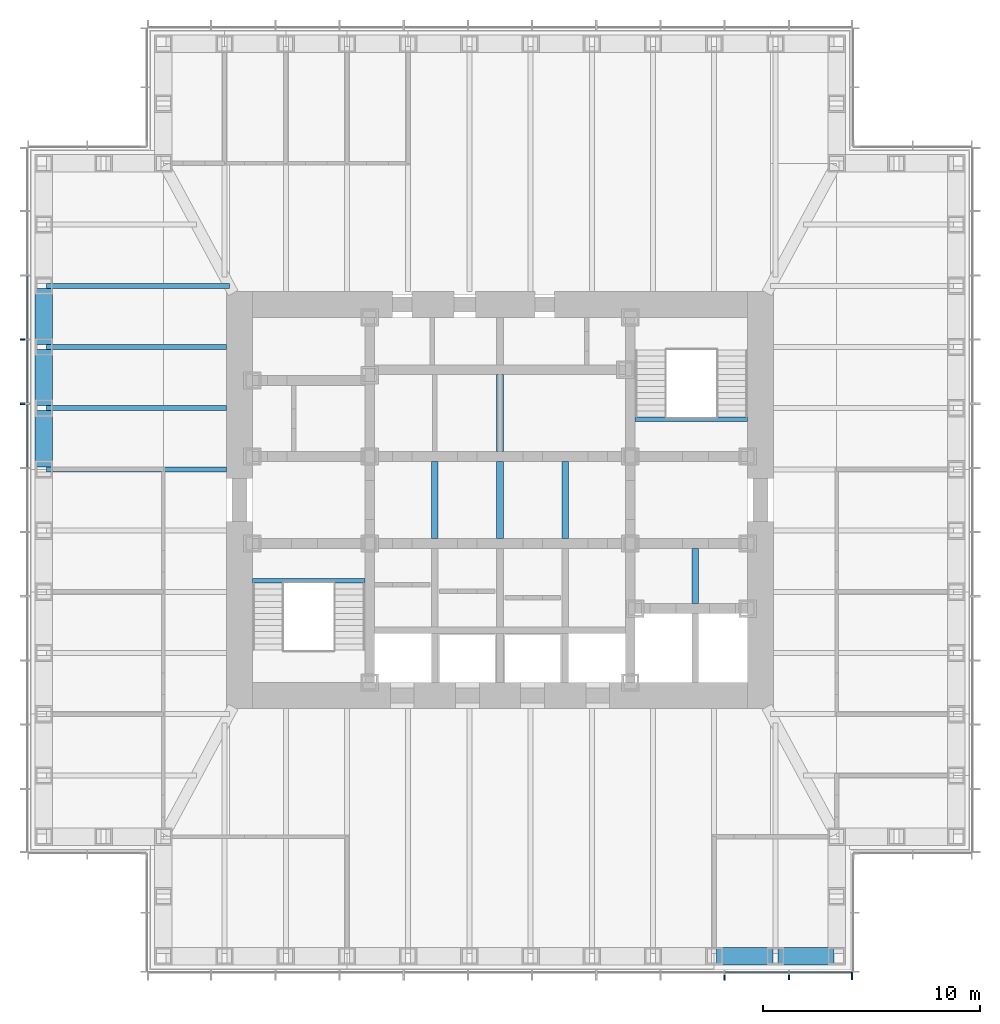
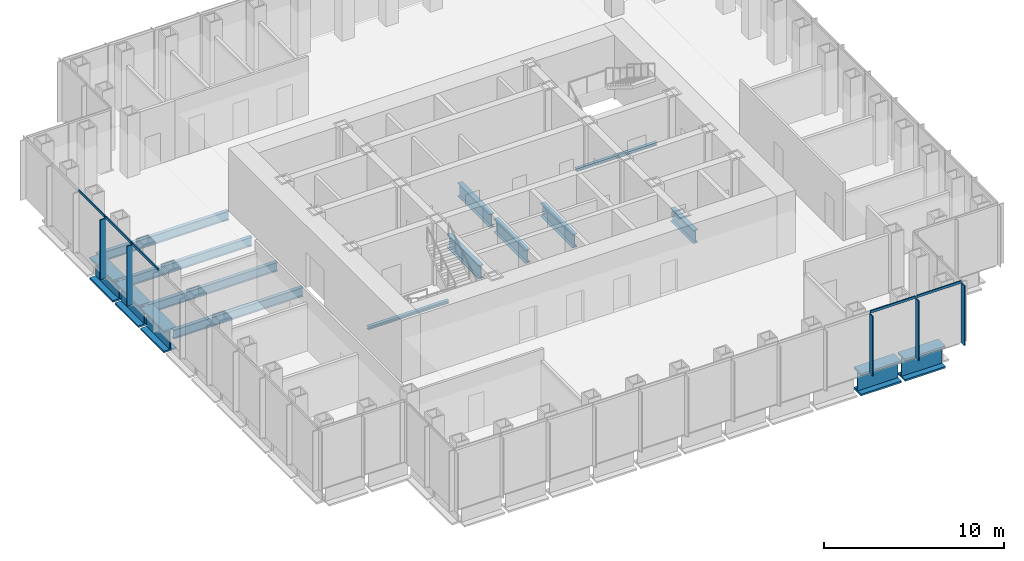
# One storey, part 3 of 16: 16 beams, 10 members, 2 elements without a shape of their own.
"""IFC4 building model written with IfcOpenShell, lengths in metres."""

from ifc_helpers import new_model, si_unit, direction, frame, origin, origin_2d, place, context, subcontext, project, spatial, rectangle, i_section, extrude, material, material_profile, profile_set, type_object, element, aggregate, save


model = new_model("IFC4")

# Units and contexts
model_context = context("Model", 3, precision=1e-05, world=origin(), true_north=direction((0.0, 1.0)))
body_context = subcontext(model_context, "Body", "Model", "MODEL_VIEW")
ifc_project = project(units=[si_unit("LENGTHUNIT", "METRE"), si_unit("AREAUNIT", "SQUARE_METRE"), si_unit("VOLUMEUNIT", "CUBIC_METRE"), si_unit("PLANEANGLEUNIT", "RADIAN"), si_unit("MASSUNIT", "GRAM", prefix="KILO")], contexts=[model_context])

# Site, building, storey
site_placement = place(None, origin())
site = spatial("IfcSite", under=ifc_project, at=site_placement, CompositionType="ELEMENT")
building_placement = place(site_placement, origin())
building = spatial("IfcBuilding", under=site, at=building_placement, Name="Daluyong Arena Tower", CompositionType="ELEMENT")
storey_placement = place(building_placement, frame((0.0, 0.0, 240.10009765625)))
storey = spatial("IfcBuildingStorey", under=building, at=storey_placement, Name="L54", CompositionType="ELEMENT", Elevation=240.10009765625)

# Curtain wall, members
ifc_material_1 = material(Name="Bronze anodised aluminium and glass", Category="aluminium")
curtain_wall_type = type_object("IfcCurtainWallType", Name="Curtain wall CW3", PredefinedType="USERDEFINED", material=ifc_material_1)
curtain_wall_1_placement = place(storey_placement, origin())
curtain_wall_1 = element("IfcCurtainWall", 1, at=curtain_wall_1_placement, inside=storey, type_object=curtain_wall_type, Name="curtain wall L54 S", ObjectType="UNITISED CURTAIN WALL", PredefinedType="USERDEFINED")
ifc_material_2 = material(Name="Bronze anodised aluminium fin", Category="aluminium")
ifc_material_profile_1 = material_profile(ifc_material_2, rectangle(XDim=0.35009765625, YDim=0.070068359375, at=origin_2d()))
ifc_profile_set_1 = profile_set([ifc_material_profile_1], Name="Bronze anodised aluminium fin")
member_type_1 = type_object("IfcMemberType", Name="CW3 bronze fin 350x70", PredefinedType="MULLION", material=ifc_profile_set_1)
member_1_placement = place(storey_placement, frame((66.3408203125, 58.074951171875, 0.0), z_axis=(0.0, 0.0, 1.0), x_axis=(0.0, 1.0, 0.0)))
member_1 = element("IfcMember", 2, at=member_1_placement, type_object=member_type_1, Name="curtain wall L54 S fin 10", PredefinedType="MULLION", context=body_context, shape_type="SweptSolid", body=[
    extrude(rectangle(XDim=0.35009765625, YDim=0.070068359375, at=origin_2d()), origin(), (0.0, 0.0, 1.0), 4.039794921875),
])
member_2_placement = place(storey_placement, frame((69.29541015625, 58.074951171875, 0.0), z_axis=(0.0, 0.0, 1.0), x_axis=(0.0, 1.0, 0.0)))
member_2 = element("IfcMember", 3, at=member_2_placement, type_object=member_type_1, Name="curtain wall L54 S fin 11", PredefinedType="MULLION", context=body_context, shape_type="SweptSolid", body=[
    extrude(rectangle(XDim=0.35009765625, YDim=0.070068359375, at=origin_2d()), origin(), (0.0, 0.0, 1.0), 4.039794921875),
])
member_3_placement = place(storey_placement, frame((72.215087890625, 58.074951171875, 0.0), z_axis=(0.0, 0.0, 1.0), x_axis=(0.0, 1.0, 0.0)))
member_3 = element("IfcMember", 4, at=member_3_placement, type_object=member_type_1, Name="curtain wall L54 S fin 12", PredefinedType="MULLION", context=body_context, shape_type="SweptSolid", body=[
    extrude(rectangle(XDim=0.35009765625, YDim=0.070068359375, at=origin_2d()), origin(), (0.0, 0.0, 1.0), 4.039794921875),
])

curtain_wall_2_placement = place(storey_placement, origin())
curtain_wall_2 = element("IfcCurtainWall", 5, at=curtain_wall_2_placement, inside=storey, type_object=curtain_wall_type, Name="curtain wall L54 W", ObjectType="UNITISED CURTAIN WALL", PredefinedType="USERDEFINED")
member_4_placement = place(storey_placement, frame((34.074951171875, 87.386474609375, 0.0), z_axis=(0.0, 0.0, 1.0), x_axis=(1.0, 0.0, 0.0)))
member_4 = element("IfcMember", 6, at=member_4_placement, type_object=member_type_1, Name="curtain wall L54 W fin 4", PredefinedType="MULLION", context=body_context, shape_type="SweptSolid", body=[
    extrude(rectangle(XDim=0.35009765625, YDim=0.070068359375, at=origin_2d()), origin(), (0.0, 0.0, 1.0), 4.039794921875),
])
member_5_placement = place(storey_placement, frame((34.074951171875, 84.431884765625, 0.0), z_axis=(0.0, 0.0, 1.0), x_axis=(1.0, 0.0, 0.0)))
member_5 = element("IfcMember", 7, at=member_5_placement, type_object=member_type_1, Name="curtain wall L54 W fin 5", PredefinedType="MULLION", context=body_context, shape_type="SweptSolid", body=[
    extrude(rectangle(XDim=0.35009765625, YDim=0.070068359375, at=origin_2d()), origin(), (0.0, 0.0, 1.0), 4.039794921875),
])

# Member
ifc_material_3 = material(Name="Bronze anodised aluminium", Category="aluminium")
ifc_material_profile_2 = material_profile(ifc_material_3, rectangle(XDim=0.070068359375, YDim=0.159912109375, at=origin_2d()))
ifc_profile_set_2 = profile_set([ifc_material_profile_2], Name="Bronze anodised aluminium")
member_type_2 = type_object("IfcMemberType", Name="CW3 stack transom 160x70", PredefinedType="USERDEFINED", material=ifc_profile_set_2)
member_6_placement = place(storey_placement, frame((66.3759765625, 58.25, 4.119873046875), z_axis=(1.0, 0.0, 0.0), x_axis=(0.0, 1.0, 0.0)))
member_6 = element("IfcMember", 8, at=member_6_placement, type_object=member_type_2, Name="curtain wall L54 S transom 10", ObjectType="TRANSOM", PredefinedType="USERDEFINED", context=body_context, shape_type="SweptSolid", body=[
    extrude(rectangle(XDim=0.070068359375, YDim=0.159912109375, at=origin_2d()), origin(), (0.0, 0.0, 1.0), 2.884521484375),
])

member_7_placement = place(storey_placement, frame((69.33056640625, 58.25, 4.119873046875), z_axis=(1.0, 0.0, 0.0), x_axis=(0.0, 1.0, 0.0)))
member_7 = element("IfcMember", 9, at=member_7_placement, type_object=member_type_2, Name="curtain wall L54 S transom 11", ObjectType="TRANSOM", PredefinedType="USERDEFINED", context=body_context, shape_type="SweptSolid", body=[
    extrude(rectangle(XDim=0.070068359375, YDim=0.159912109375, at=origin_2d()), origin(), (0.0, 0.0, 1.0), 2.849365234375),
])

aggregate(curtain_wall_1, [member_1, member_2, member_3, member_6, member_7])

member_8_placement = place(storey_placement, frame((34.25, 90.305908203125, 4.119873046875), z_axis=(0.0, -1.0, 0.0), x_axis=(1.0, 0.0, 0.0)))
member_8 = element("IfcMember", 10, at=member_8_placement, type_object=member_type_2, Name="curtain wall L54 W transom 3", ObjectType="TRANSOM", PredefinedType="USERDEFINED", context=body_context, shape_type="SweptSolid", body=[
    extrude(rectangle(XDim=0.070068359375, YDim=0.159912109375, at=origin_2d()), origin(), (0.0, 0.0, 1.0), 2.884521484375),
])

member_9_placement = place(storey_placement, frame((34.25, 87.351318359375, 4.119873046875), z_axis=(0.0, -1.0, 0.0), x_axis=(1.0, 0.0, 0.0)))
member_9 = element("IfcMember", 11, at=member_9_placement, type_object=member_type_2, Name="curtain wall L54 W transom 4", ObjectType="TRANSOM", PredefinedType="USERDEFINED", context=body_context, shape_type="SweptSolid", body=[
    extrude(rectangle(XDim=0.070068359375, YDim=0.159912109375, at=origin_2d()), origin(), (0.0, 0.0, 1.0), 2.884521484375),
])

member_10_placement = place(storey_placement, frame((34.25, 84.396728515625, 4.119873046875), z_axis=(0.0, -1.0, 0.0), x_axis=(1.0, 0.0, 0.0)))
member_10 = element("IfcMember", 12, at=member_10_placement, type_object=member_type_2, Name="curtain wall L54 W transom 5", ObjectType="TRANSOM", PredefinedType="USERDEFINED", context=body_context, shape_type="SweptSolid", body=[
    extrude(rectangle(XDim=0.070068359375, YDim=0.159912109375, at=origin_2d()), origin(), (0.0, 0.0, 1.0), 2.884521484375),
])

aggregate(curtain_wall_2, [member_4, member_5, member_8, member_9, member_10])

# Beams
ifc_material_4 = material(Name="Steel ASTM A992 Grade 50", Category="steel")
ifc_material_profile_3 = material_profile(ifc_material_4, i_section(OverallWidth=0.22900390625, OverallDepth=0.612060546875, WebThickness=0.011962890625, FlangeThickness=0.01953125, at=origin_2d()))
ifc_profile_set_3 = profile_set([ifc_material_profile_3], Name="Steel ASTM A992 Grade 50")
beam_type_1 = type_object("IfcBeamType", Name="Floor beam W24X84", PredefinedType="BEAM", material=ifc_profile_set_3)
beam_1_placement = place(storey_placement, frame((35.114990234375, 89.863525390625, -0.466064453125), z_axis=(1.0, 0.0, 0.0), x_axis=(0.0, 1.0, 0.0)))
element("IfcBeam", 13, at=beam_1_placement, inside=storey, type_object=beam_type_1, Name="floor beam FB3", PredefinedType="BEAM", context=body_context, shape_type="SweptSolid", body=[
    extrude(i_section(OverallWidth=0.22900390625, OverallDepth=0.612060546875, WebThickness=0.011962890625, FlangeThickness=0.01953125, at=origin_2d()), origin(), (0.0, 0.0, 1.0), 8.419921875),
])
for number, where, z_axis, x_axis, name in (
    (14, (35.114990234375, 87.04541015625, -0.466064453125), (1.0, 0.0, 0.0), (0.0, 1.0, 0.0), "floor beam FB3"),
    (15, (35.114990234375, 84.227294921875, -0.466064453125), (1.0, 0.0, 0.0), (0.0, 1.0, 0.0), "floor beam FB3"),
    (16, (35.114990234375, 81.4091796875, -0.466064453125), (1.0, 0.0, 0.0), (0.0, 1.0, 0.0), "floor beam FB3"),
):
    element("IfcBeam", number, at=place(storey_placement, frame(where, z_axis=z_axis, x_axis=x_axis)), inside=storey, type_object=beam_type_1, Name=name, PredefinedType="BEAM", context=body_context, shape_type="SweptSolid", body=[
        extrude(i_section(OverallWidth=0.22900390625, OverallDepth=0.612060546875, WebThickness=0.011962890625, FlangeThickness=0.01953125, at=origin_2d()), origin(), (0.0, 0.0, 1.0), 8.284912109375),
    ])
ifc_material_5 = material(Name="Steel ASTM A572 Grade 50", Category="steel")
ifc_material_profile_4 = material_profile(ifc_material_5, i_section(OverallWidth=0.300048828125, OverallDepth=0.89990234375, WebThickness=0.025, FlangeThickness=0.04, at=origin_2d()))
ifc_profile_set_4 = profile_set([ifc_material_profile_4], Name="Steel ASTM A572 Grade 50")
beam_type_2 = type_object("IfcBeamType", Name="Lift divider beam PG900X300", PredefinedType="BEAM", material=ifc_profile_set_4)
for number, where, z_axis, x_axis, name in (
    (17, (53.0, 78.22509765625, -0.610107421875), (0.0, 1.0, 0.0), (-1.0, 0.0, 0.0), "lift divider beam DB1"),
    (18, (56.0, 78.22509765625, -0.610107421875), (0.0, 1.0, 0.0), (-1.0, 0.0, 0.0), "lift divider beam DB1"),
    (19, (56.0, 82.22509765625, -0.610107421875), (0.0, 1.0, 0.0), (-1.0, 0.0, 0.0), "lift divider beam DB1"),
    (20, (59.0, 78.22509765625, -0.610107421875), (0.0, 1.0, 0.0), (-1.0, 0.0, 0.0), "lift divider beam DB1"),
):
    element("IfcBeam", number, at=place(storey_placement, frame(where, z_axis=z_axis, x_axis=x_axis)), inside=storey, type_object=beam_type_2, Name=name, PredefinedType="BEAM", context=body_context, shape_type="SweptSolid", body=[
        extrude(i_section(OverallWidth=0.300048828125, OverallDepth=0.89990234375, WebThickness=0.025, FlangeThickness=0.04, at=origin_2d()), origin(), (0.0, 0.0, 1.0), 3.5498046875),
    ])
beam_2_placement = place(storey_placement, frame((65.0, 75.22509765625, -0.610107421875), z_axis=(0.0, 1.0, 0.0), x_axis=(-1.0, 0.0, 0.0)))
element("IfcBeam", 21, at=beam_2_placement, inside=storey, type_object=beam_type_2, Name="lift divider beam DB1", PredefinedType="BEAM", context=body_context, shape_type="SweptSolid", body=[
    extrude(i_section(OverallWidth=0.300048828125, OverallDepth=0.89990234375, WebThickness=0.025, FlangeThickness=0.04, at=origin_2d()), origin(), (0.0, 0.0, 1.0), 2.5498046875),
])
ifc_material_6 = material(Name="Steel ASTM A588 Grade 50", Category="steel")
ifc_material_profile_5 = material_profile(ifc_material_6, i_section(OverallWidth=0.800048828125, OverallDepth=1.5, WebThickness=0.05, FlangeThickness=0.12, at=origin_2d()))
ifc_profile_set_5 = profile_set([ifc_material_profile_5], Name="Steel ASTM A588 Grade 50")
beam_type_3 = type_object("IfcBeamType", Name="Spandrel Z3 PG1500X800", PredefinedType="SPANDREL", material=ifc_profile_set_5)
beam_3_placement = place(storey_placement, frame((65.978515625, 59.0, -0.91015625), z_axis=(1.0, 0.0, 0.0), x_axis=(0.0, 1.0, 0.0)))
element("IfcBeam", 22, at=beam_3_placement, inside=storey, type_object=beam_type_3, Name="spandrel z3 SB7", PredefinedType="SPANDREL", context=body_context, shape_type="SweptSolid", body=[
    extrude(i_section(OverallWidth=0.800048828125, OverallDepth=1.5, WebThickness=0.05, FlangeThickness=0.12, at=origin_2d()), origin(), (0.0, 0.0, 1.0), 2.58837890625),
])
for number, where, z_axis, x_axis, name in (
    (23, (68.796875, 59.0, -0.91015625), (1.0, 0.0, 0.0), (0.0, 1.0, 0.0), "spandrel z3 SB7"),
    (24, (35.0, 89.74853515625, -0.91015625), (0.0, -1.0, 0.0), (1.0, 0.0, 0.0), "spandrel z3 SB7"),
    (25, (35.0, 86.930419921875, -0.91015625), (0.0, -1.0, 0.0), (1.0, 0.0, 0.0), "spandrel z3 SB7"),
    (26, (35.0, 84.1123046875, -0.91015625), (0.0, -1.0, 0.0), (1.0, 0.0, 0.0), "spandrel z3 SB7"),
):
    element("IfcBeam", number, at=place(storey_placement, frame(where, z_axis=z_axis, x_axis=x_axis)), inside=storey, type_object=beam_type_3, Name=name, PredefinedType="SPANDREL", context=body_context, shape_type="SweptSolid", body=[
        extrude(i_section(OverallWidth=0.800048828125, OverallDepth=1.5, WebThickness=0.05, FlangeThickness=0.12, at=origin_2d()), origin(), (0.0, 0.0, 1.0), 2.588134765625),
    ])
ifc_material_7 = material(Name="Steel ASTM A992 Grade 50", Category="steel")
ifc_material_profile_6 = material_profile(ifc_material_7, i_section(OverallWidth=0.203125, OverallDepth=0.203125, WebThickness=0.00732421875, FlangeThickness=0.010986328125, at=origin_2d()))
ifc_profile_set_6 = profile_set([ifc_material_profile_6], Name="Steel ASTM A992 Grade 50")
beam_type_4 = type_object("IfcBeamType", Name="Stair landing beam W8X31", PredefinedType="BEAM", material=ifc_profile_set_6)
for number, where, z_axis, x_axis, name in (
    (27, (44.60009765625, 76.276611328125, -0.26171875), (1.0, 0.0, 0.0), (0.0, 1.0, 0.0), "exit stair A landing beam"),
    (28, (62.22509765625, 83.723388671875, -0.26171875), (1.0, 0.0, 0.0), (0.0, 1.0, 0.0), "exit stair B landing beam"),
):
    element("IfcBeam", number, at=place(storey_placement, frame(where, z_axis=z_axis, x_axis=x_axis)), inside=storey, type_object=beam_type_4, Name=name, PredefinedType="BEAM", context=body_context, shape_type="SweptSolid", body=[
        extrude(i_section(OverallWidth=0.203125, OverallDepth=0.203125, WebThickness=0.00732421875, FlangeThickness=0.010986328125, at=origin_2d()), origin(), (0.0, 0.0, 1.0), 5.1748046875),
    ])

save(model, "model.ifc")
